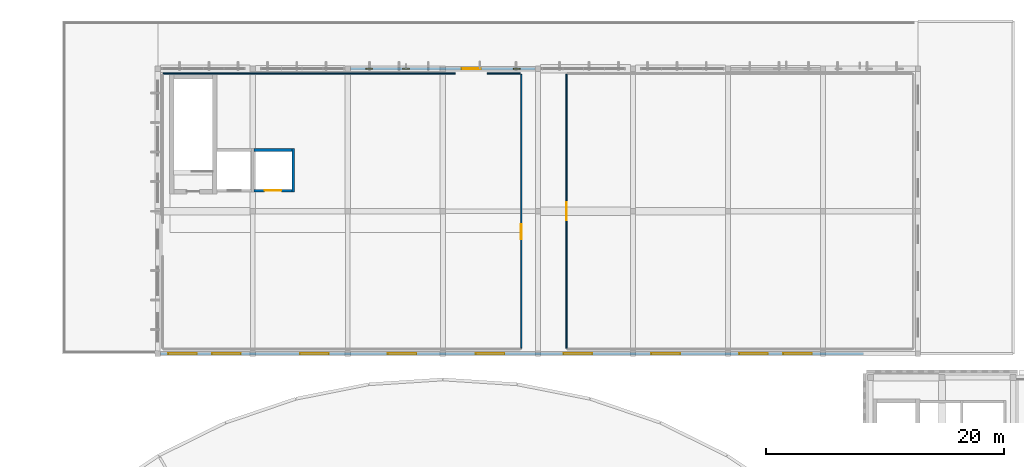
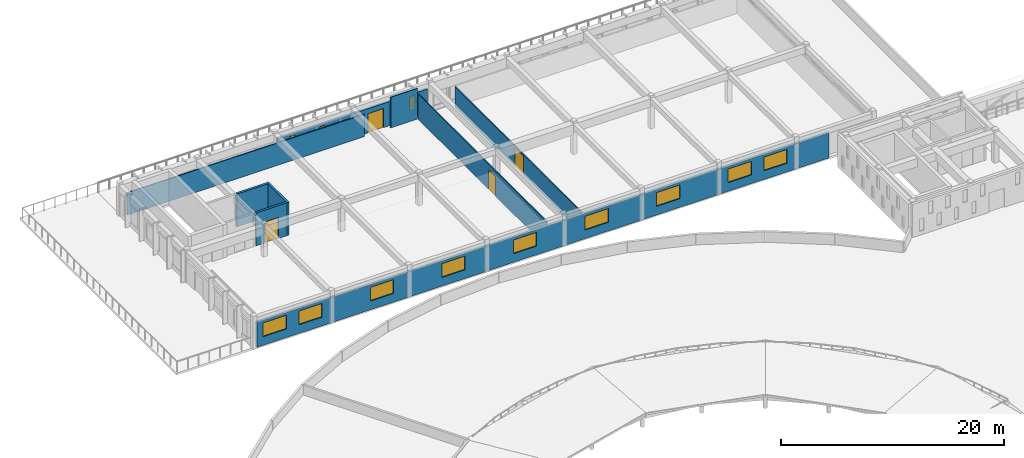
# One storey, part 56 of 77: 12 windows, 9 walls, 4 doors, 16 openings.
"""IFC4 building model written with IfcOpenShell, lengths in metres."""

from ifc_helpers import new_model, si_unit, direction, frame, frame_2d, origin, place, context, subcontext, project, spatial, rectangle, extrude, material, layer, layer_set, type_object, element, fill, save


model = new_model("IFC4")

# Units and contexts
model_context = context("Model", 3, precision=1e-05, world=origin(), true_north=direction((0.0, 1.0)))
body_context = subcontext(model_context, "Body", "Model", "MODEL_VIEW")
ifc_project = project(units=[si_unit("LENGTHUNIT", "METRE"), si_unit("AREAUNIT", "SQUARE_METRE"), si_unit("VOLUMEUNIT", "CUBIC_METRE"), si_unit("PLANEANGLEUNIT", "RADIAN"), si_unit("MASSUNIT", "GRAM", prefix="KILO")], contexts=[model_context])

# Site, building, storey
site_placement = place(None, origin())
site = spatial("IfcSite", under=ifc_project, at=site_placement, CompositionType="ELEMENT")
building_placement = place(site_placement, origin())
building = spatial("IfcBuilding", under=site, at=building_placement, Name="Larkveld Mobility Hub", CompositionType="ELEMENT")
storey_placement = place(building_placement, frame((0.0, 0.0, 12.0)))
storey = spatial("IfcBuildingStorey", under=building, at=storey_placement, Name="L03", CompositionType="ELEMENT", Elevation=12.0)

# Wall, openings, door, windows
ifc_material_1 = material(Name="Glazed architectural ceramic masonry 20 MPa", Category="masonry")
ifc_layer_1 = layer(ifc_material_1, 0.2099609375, Name="Glazed architectural ceramic masonry 20 MPa", Category="masonry")
ifc_layer_set_1 = layer_set([ifc_layer_1], Name="Glazed architectural ceramic masonry 20 MPa")
wall_type_1 = type_object("IfcWallType", Name="WL-COB-210", PredefinedType="USERDEFINED", material=ifc_layer_set_1)
wall_1_placement = place(storey_placement, frame((55.764892578125, 122.0, 0.0), z_axis=(0.0, 0.0, 1.0), x_axis=(-1.0, 0.0, 0.0)))
wall_1 = element("IfcWall", 1, at=wall_1_placement, inside=storey, type_object=wall_type_1, Name="Bicycle Hall Ceramic Cobogo Screen L03-0198", ObjectType="CERAMIC COBOGO SCREEN", PredefinedType="USERDEFINED", context=body_context, shape_type="SweptSolid", body=[
    extrude(rectangle(XDim=15.52978515625, YDim=0.2099609375, at=frame_2d((7.764892578125, 0.0))), origin(), (0.0, 0.0, 1.0), 2.64501953125),
])
opening_1_placement = place(wall_1_placement, frame((4.56494140625, 0.0, 0.0)))
opening_1 = element("IfcOpeningElement", 2, at=opening_1_placement, cuts=wall_1, Name="Opening ED07", PredefinedType="OPENING", context=body_context, shape_type="SweptSolid", body=[
    extrude(rectangle(XDim=1.60009765625, YDim=2.10009765625, at=frame_2d((0.800048828125, 1.050048828125))), frame((0.0, 0.114990234375, 0.0), z_axis=(0.0, -1.0, 0.0), x_axis=(1.0, 0.0, 0.0)), (0.0, 0.0, 1.0), 0.22998046875),
])
opening_2_placement = place(wall_1_placement, frame((1.27294921875, 0.0, 0.85009765625)))
opening_2 = element("IfcOpeningElement", 3, at=opening_2_placement, cuts=wall_1, Name="Opening W04", PredefinedType="OPENING", context=body_context, shape_type="SweptSolid", body=[
    extrude(rectangle(XDim=0.56005859375, YDim=1.550048828125, at=frame_2d((0.280029296875, 0.77490234375))), frame((0.0, 0.114990234375, 0.0), z_axis=(0.0, -1.0, 0.0), x_axis=(1.0, 0.0, 0.0)), (0.0, 0.0, 1.0), 0.22998046875),
])
opening_3_placement = place(wall_1_placement, frame((10.591064453125, 0.0, 0.85009765625)))
opening_3 = element("IfcOpeningElement", 4, at=opening_3_placement, cuts=wall_1, Name="Opening W04", PredefinedType="OPENING", context=body_context, shape_type="SweptSolid", body=[
    extrude(rectangle(XDim=0.56005859375, YDim=1.550048828125, at=frame_2d((0.280029296875, 0.77490234375))), frame((0.0, 0.114990234375, 0.0), z_axis=(0.0, -1.0, 0.0), x_axis=(1.0, 0.0, 0.0)), (0.0, 0.0, 1.0), 0.22998046875),
])
opening_4_placement = place(wall_1_placement, frame((13.697021484375, 0.0, 0.85009765625)))
opening_4 = element("IfcOpeningElement", 5, at=opening_4_placement, cuts=wall_1, Name="Opening W04", PredefinedType="OPENING", context=body_context, shape_type="SweptSolid", body=[
    extrude(rectangle(XDim=0.56005859375, YDim=1.550048828125, at=frame_2d((0.280029296875, 0.77490234375))), frame((0.0, 0.114990234375, 0.0), z_axis=(0.0, -1.0, 0.0), x_axis=(1.0, 0.0, 0.0)), (0.0, 0.0, 1.0), 0.22998046875),
])
ifc_material_2 = material(Name="Anodised aluminium glazed terrace door", Category="aluminium")
door_type_1 = type_object("IfcDoorType", Name="DR-EXT-TER16", OperationType="DOUBLE_DOOR_SINGLE_SWING", PredefinedType="DOOR", material=ifc_material_2)
door_1_placement = place(opening_1_placement, origin())
door_1 = element("IfcDoor", 6, at=door_1_placement, inside=storey, type_object=door_type_1, Name="North Viewing Terrace Door EDR-L03-017", OperationType="DOUBLE_DOOR_SINGLE_SWING", OverallHeight=2.10009765625, OverallWidth=1.60009765625, PredefinedType="DOOR", context=body_context, shape_type="SweptSolid", body=[
    extrude(rectangle(XDim=1.60009765625, YDim=2.10009765625, at=frame_2d((0.800048828125, 1.050048828125))), frame((0.0, 0.02490234375, 0.0), z_axis=(0.0, -1.0, 0.0), x_axis=(1.0, 0.0, 0.0)), (0.0, 0.0, 1.0), 0.050048828125),
])
fill(opening_1, door_1)
ifc_material_3 = material(Name="Extruded aluminium cobogo vent frame", Category="aluminium")
window_type_1 = type_object("IfcWindowType", Name="WN-VENT-04", PartitioningType="SINGLE_PANEL", PredefinedType="WINDOW", material=ifc_material_3)
window_1_placement = place(opening_2_placement, origin())
window_1 = element("IfcWindow", 7, at=window_1_placement, inside=storey, type_object=window_type_1, Name="Window W04 (0959)", OverallHeight=1.550048828125, OverallWidth=0.56005859375, PartitioningType="SINGLE_PANEL", PredefinedType="WINDOW", context=body_context, shape_type="SweptSolid", body=[
    extrude(rectangle(XDim=0.56005859375, YDim=1.550048828125, at=frame_2d((0.280029296875, 0.77490234375))), frame((0.0, 0.030029296875, 0.0), z_axis=(0.0, -1.0, 0.0), x_axis=(1.0, 0.0, 0.0)), (0.0, 0.0, 1.0), 0.06005859375),
])
fill(opening_2, window_1)
window_2_placement = place(opening_3_placement, origin())
window_2 = element("IfcWindow", 8, at=window_2_placement, inside=storey, type_object=window_type_1, Name="Window W04 (0960)", OverallHeight=1.550048828125, OverallWidth=0.56005859375, PartitioningType="SINGLE_PANEL", PredefinedType="WINDOW", context=body_context, shape_type="SweptSolid", body=[
    extrude(rectangle(XDim=0.56005859375, YDim=1.550048828125, at=frame_2d((0.280029296875, 0.77490234375))), frame((0.0, 0.030029296875, 0.0), z_axis=(0.0, -1.0, 0.0), x_axis=(1.0, 0.0, 0.0)), (0.0, 0.0, 1.0), 0.06005859375),
])
fill(opening_3, window_2)
window_3_placement = place(opening_4_placement, origin())
window_3 = element("IfcWindow", 9, at=window_3_placement, inside=storey, type_object=window_type_1, Name="Window W04 (0961)", OverallHeight=1.550048828125, OverallWidth=0.56005859375, PartitioningType="SINGLE_PANEL", PredefinedType="WINDOW", context=body_context, shape_type="SweptSolid", body=[
    extrude(rectangle(XDim=0.56005859375, YDim=1.550048828125, at=frame_2d((0.280029296875, 0.77490234375))), frame((0.0, 0.030029296875, 0.0), z_axis=(0.0, -1.0, 0.0), x_axis=(1.0, 0.0, 0.0)), (0.0, 0.0, 1.0), 0.06005859375),
])
fill(opening_4, window_3)

# Wall, openings, windows
ifc_material_4 = material(Name="Precast concrete C50/60", Category="concrete")
ifc_layer_2 = layer(ifc_material_4, 0.239990234375, Name="Precast concrete C50/60", Category="concrete")
ifc_layer_set_2 = layer_set([ifc_layer_2], Name="Precast concrete C50/60")
wall_type_2 = type_object("IfcWallType", Name="WL-EXT-240", PredefinedType="SOLIDWALL", material=ifc_layer_set_2)
wall_2_placement = place(storey_placement, frame((24.235107421875, 98.0, 0.0), z_axis=(0.0, 0.0, 1.0), x_axis=(1.0, 0.0, 0.0)))
wall_2 = element("IfcWall", 10, at=wall_2_placement, inside=storey, type_object=wall_type_2, Name="Bicycle Hall South Court Wall L03-0200", PredefinedType="SOLIDWALL", context=body_context, shape_type="SweptSolid", body=[
    extrude(rectangle(XDim=59.164794921875, YDim=0.239990234375, at=frame_2d((29.58251953125, 0.0))), origin(), (0.0, 0.0, 1.0), 2.7451171875),
])
opening_5_placement = place(wall_2_placement, frame((0.64892578125, 0.0, 0.949951171875)))
opening_5 = element("IfcOpeningElement", 11, at=opening_5_placement, cuts=wall_2, Name="Opening W09", PredefinedType="OPENING", context=body_context, shape_type="SweptSolid", body=[
    extrude(rectangle(XDim=2.39990234375, YDim=1.5, at=frame_2d((1.199951171875, 0.75))), frame((0.0, 0.1298828125, 0.0), z_axis=(0.0, -1.0, 0.0), x_axis=(1.0, 0.0, 0.0)), (0.0, 0.0, 1.0), 0.260009765625),
])
opening_6_placement = place(wall_2_placement, frame((4.346923828125, 0.0, 0.949951171875)))
opening_6 = element("IfcOpeningElement", 12, at=opening_6_placement, cuts=wall_2, Name="Opening W09", PredefinedType="OPENING", context=body_context, shape_type="SweptSolid", body=[
    extrude(rectangle(XDim=2.39990234375, YDim=1.5, at=frame_2d((1.199951171875, 0.75))), frame((0.0, 0.1298828125, 0.0), z_axis=(0.0, -1.0, 0.0), x_axis=(1.0, 0.0, 0.0)), (0.0, 0.0, 1.0), 0.260009765625),
])
opening_7_placement = place(wall_2_placement, frame((11.741943359375, 0.0, 0.949951171875)))
opening_7 = element("IfcOpeningElement", 13, at=opening_7_placement, cuts=wall_2, Name="Opening W09", PredefinedType="OPENING", context=body_context, shape_type="SweptSolid", body=[
    extrude(rectangle(XDim=2.39990234375, YDim=1.5, at=frame_2d((1.199951171875, 0.75))), frame((0.0, 0.1298828125, 0.0), z_axis=(0.0, -1.0, 0.0), x_axis=(1.0, 0.0, 0.0)), (0.0, 0.0, 1.0), 0.260009765625),
])
opening_8_placement = place(wall_2_placement, frame((19.137939453125, 0.0, 0.949951171875)))
opening_8 = element("IfcOpeningElement", 14, at=opening_8_placement, cuts=wall_2, Name="Opening W09", PredefinedType="OPENING", context=body_context, shape_type="SweptSolid", body=[
    extrude(rectangle(XDim=2.39990234375, YDim=1.5, at=frame_2d((1.199951171875, 0.75))), frame((0.0, 0.1298828125, 0.0), z_axis=(0.0, -1.0, 0.0), x_axis=(1.0, 0.0, 0.0)), (0.0, 0.0, 1.0), 0.260009765625),
])
opening_9_placement = place(wall_2_placement, frame((26.533935546875, 0.0, 0.949951171875)))
opening_9 = element("IfcOpeningElement", 15, at=opening_9_placement, cuts=wall_2, Name="Opening W09", PredefinedType="OPENING", context=body_context, shape_type="SweptSolid", body=[
    extrude(rectangle(XDim=2.39990234375, YDim=1.5, at=frame_2d((1.199951171875, 0.75))), frame((0.0, 0.1298828125, 0.0), z_axis=(0.0, -1.0, 0.0), x_axis=(1.0, 0.0, 0.0)), (0.0, 0.0, 1.0), 0.260009765625),
])
opening_10_placement = place(wall_2_placement, frame((33.928955078125, 0.0, 0.949951171875)))
opening_10 = element("IfcOpeningElement", 16, at=opening_10_placement, cuts=wall_2, Name="Opening W09", PredefinedType="OPENING", context=body_context, shape_type="SweptSolid", body=[
    extrude(rectangle(XDim=2.39990234375, YDim=1.5, at=frame_2d((1.199951171875, 0.75))), frame((0.0, 0.1298828125, 0.0), z_axis=(0.0, -1.0, 0.0), x_axis=(1.0, 0.0, 0.0)), (0.0, 0.0, 1.0), 0.260009765625),
])
opening_11_placement = place(wall_2_placement, frame((41.324951171875, 0.0, 0.949951171875)))
opening_11 = element("IfcOpeningElement", 17, at=opening_11_placement, cuts=wall_2, Name="Opening W09", PredefinedType="OPENING", context=body_context, shape_type="SweptSolid", body=[
    extrude(rectangle(XDim=2.39990234375, YDim=1.5, at=frame_2d((1.199951171875, 0.75))), frame((0.0, 0.1298828125, 0.0), z_axis=(0.0, -1.0, 0.0), x_axis=(1.0, 0.0, 0.0)), (0.0, 0.0, 1.0), 0.260009765625),
])
opening_12_placement = place(wall_2_placement, frame((48.719970703125, 0.0, 0.949951171875)))
opening_12 = element("IfcOpeningElement", 18, at=opening_12_placement, cuts=wall_2, Name="Opening W09", PredefinedType="OPENING", context=body_context, shape_type="SweptSolid", body=[
    extrude(rectangle(XDim=2.39990234375, YDim=1.5, at=frame_2d((1.199951171875, 0.75))), frame((0.0, 0.1298828125, 0.0), z_axis=(0.0, -1.0, 0.0), x_axis=(1.0, 0.0, 0.0)), (0.0, 0.0, 1.0), 0.260009765625),
])
opening_13_placement = place(wall_2_placement, frame((52.41796875, 0.0, 0.949951171875)))
opening_13 = element("IfcOpeningElement", 19, at=opening_13_placement, cuts=wall_2, Name="Opening W09", PredefinedType="OPENING", context=body_context, shape_type="SweptSolid", body=[
    extrude(rectangle(XDim=2.39990234375, YDim=1.5, at=frame_2d((1.199951171875, 0.75))), frame((0.0, 0.1298828125, 0.0), z_axis=(0.0, -1.0, 0.0), x_axis=(1.0, 0.0, 0.0)), (0.0, 0.0, 1.0), 0.260009765625),
])
ifc_material_5 = material(Name="Low-E double glazing in aluminium frame", Category="aluminium")
window_type_2 = type_object("IfcWindowType", Name="WN-ALU-09", PartitioningType="SINGLE_PANEL", PredefinedType="WINDOW", material=ifc_material_5)
window_4_placement = place(opening_5_placement, origin())
window_4 = element("IfcWindow", 20, at=window_4_placement, inside=storey, type_object=window_type_2, Name="Window W09 (0968)", OverallHeight=1.5, OverallWidth=2.39990234375, PartitioningType="SINGLE_PANEL", PredefinedType="WINDOW", context=body_context, shape_type="SweptSolid", body=[
    extrude(rectangle(XDim=2.39990234375, YDim=1.5, at=frame_2d((1.199951171875, 0.75))), frame((0.0, 0.030029296875, 0.0), z_axis=(0.0, -1.0, 0.0), x_axis=(1.0, 0.0, 0.0)), (0.0, 0.0, 1.0), 0.06005859375),
])
fill(opening_5, window_4)
window_5_placement = place(opening_6_placement, origin())
window_5 = element("IfcWindow", 21, at=window_5_placement, inside=storey, type_object=window_type_2, Name="Window W09 (0969)", OverallHeight=1.5, OverallWidth=2.39990234375, PartitioningType="SINGLE_PANEL", PredefinedType="WINDOW", context=body_context, shape_type="SweptSolid", body=[
    extrude(rectangle(XDim=2.39990234375, YDim=1.5, at=frame_2d((1.199951171875, 0.75))), frame((0.0, 0.030029296875, 0.0), z_axis=(0.0, -1.0, 0.0), x_axis=(1.0, 0.0, 0.0)), (0.0, 0.0, 1.0), 0.06005859375),
])
fill(opening_6, window_5)
window_6_placement = place(opening_7_placement, origin())
window_6 = element("IfcWindow", 22, at=window_6_placement, inside=storey, type_object=window_type_2, Name="Window W09 (0970)", OverallHeight=1.5, OverallWidth=2.39990234375, PartitioningType="SINGLE_PANEL", PredefinedType="WINDOW", context=body_context, shape_type="SweptSolid", body=[
    extrude(rectangle(XDim=2.39990234375, YDim=1.5, at=frame_2d((1.199951171875, 0.75))), frame((0.0, 0.030029296875, 0.0), z_axis=(0.0, -1.0, 0.0), x_axis=(1.0, 0.0, 0.0)), (0.0, 0.0, 1.0), 0.06005859375),
])
fill(opening_7, window_6)
window_7_placement = place(opening_8_placement, origin())
window_7 = element("IfcWindow", 23, at=window_7_placement, inside=storey, type_object=window_type_2, Name="Window W09 (0971)", OverallHeight=1.5, OverallWidth=2.39990234375, PartitioningType="SINGLE_PANEL", PredefinedType="WINDOW", context=body_context, shape_type="SweptSolid", body=[
    extrude(rectangle(XDim=2.39990234375, YDim=1.5, at=frame_2d((1.199951171875, 0.75))), frame((0.0, 0.030029296875, 0.0), z_axis=(0.0, -1.0, 0.0), x_axis=(1.0, 0.0, 0.0)), (0.0, 0.0, 1.0), 0.06005859375),
])
fill(opening_8, window_7)
window_8_placement = place(opening_9_placement, origin())
window_8 = element("IfcWindow", 24, at=window_8_placement, inside=storey, type_object=window_type_2, Name="Window W09 (0972)", OverallHeight=1.5, OverallWidth=2.39990234375, PartitioningType="SINGLE_PANEL", PredefinedType="WINDOW", context=body_context, shape_type="SweptSolid", body=[
    extrude(rectangle(XDim=2.39990234375, YDim=1.5, at=frame_2d((1.199951171875, 0.75))), frame((0.0, 0.030029296875, 0.0), z_axis=(0.0, -1.0, 0.0), x_axis=(1.0, 0.0, 0.0)), (0.0, 0.0, 1.0), 0.06005859375),
])
fill(opening_9, window_8)
window_9_placement = place(opening_10_placement, origin())
window_9 = element("IfcWindow", 25, at=window_9_placement, inside=storey, type_object=window_type_2, Name="Window W09 (0973)", OverallHeight=1.5, OverallWidth=2.39990234375, PartitioningType="SINGLE_PANEL", PredefinedType="WINDOW", context=body_context, shape_type="SweptSolid", body=[
    extrude(rectangle(XDim=2.39990234375, YDim=1.5, at=frame_2d((1.199951171875, 0.75))), frame((0.0, 0.030029296875, 0.0), z_axis=(0.0, -1.0, 0.0), x_axis=(1.0, 0.0, 0.0)), (0.0, 0.0, 1.0), 0.06005859375),
])
fill(opening_10, window_9)
window_10_placement = place(opening_11_placement, origin())
window_10 = element("IfcWindow", 26, at=window_10_placement, inside=storey, type_object=window_type_2, Name="Window W09 (0974)", OverallHeight=1.5, OverallWidth=2.39990234375, PartitioningType="SINGLE_PANEL", PredefinedType="WINDOW", context=body_context, shape_type="SweptSolid", body=[
    extrude(rectangle(XDim=2.39990234375, YDim=1.5, at=frame_2d((1.199951171875, 0.75))), frame((0.0, 0.030029296875, 0.0), z_axis=(0.0, -1.0, 0.0), x_axis=(1.0, 0.0, 0.0)), (0.0, 0.0, 1.0), 0.06005859375),
])
fill(opening_11, window_10)
window_11_placement = place(opening_12_placement, origin())
window_11 = element("IfcWindow", 27, at=window_11_placement, inside=storey, type_object=window_type_2, Name="Window W09 (0975)", OverallHeight=1.5, OverallWidth=2.39990234375, PartitioningType="SINGLE_PANEL", PredefinedType="WINDOW", context=body_context, shape_type="SweptSolid", body=[
    extrude(rectangle(XDim=2.39990234375, YDim=1.5, at=frame_2d((1.199951171875, 0.75))), frame((0.0, 0.030029296875, 0.0), z_axis=(0.0, -1.0, 0.0), x_axis=(1.0, 0.0, 0.0)), (0.0, 0.0, 1.0), 0.06005859375),
])
fill(opening_12, window_11)
window_12_placement = place(opening_13_placement, origin())
window_12 = element("IfcWindow", 28, at=window_12_placement, inside=storey, type_object=window_type_2, Name="Window W09 (0976)", OverallHeight=1.5, OverallWidth=2.39990234375, PartitioningType="SINGLE_PANEL", PredefinedType="WINDOW", context=body_context, shape_type="SweptSolid", body=[
    extrude(rectangle(XDim=2.39990234375, YDim=1.5, at=frame_2d((1.199951171875, 0.75))), frame((0.0, 0.030029296875, 0.0), z_axis=(0.0, -1.0, 0.0), x_axis=(1.0, 0.0, 0.0)), (0.0, 0.0, 1.0), 0.06005859375),
])
fill(opening_13, window_12)

# Walls
ifc_material_6 = material(Name="Concrete blockwork masonry 14 MPa", Category="masonry")
ifc_layer_3 = layer(ifc_material_6, 0.10009765625, Name="Concrete blockwork masonry 14 MPa", Category="masonry")
ifc_layer_set_3 = layer_set([ifc_layer_3], Name="Concrete blockwork masonry 14 MPa")
wall_type_3 = type_object("IfcWallType", Name="WL-PRT-100", PredefinedType="PARTITIONING", material=ifc_layer_set_3)
wall_3_placement = place(storey_placement, frame((24.47998046875, 121.60009765625, 0.0), z_axis=(0.0, 0.0, 1.0), x_axis=(1.0, 0.0, 0.0)))
element("IfcWall", 29, at=wall_3_placement, inside=storey, type_object=wall_type_3, Name="Mobility-as-a-Service Innovation Office Hall Partition 0183", PredefinedType="PARTITIONING", context=body_context, shape_type="SweptSolid", body=[
    extrude(rectangle(XDim=24.570068359375, YDim=0.10009765625, at=frame_2d((12.28515625, 0.0))), origin(), (0.0, 0.0, 1.0), 2.445068359375),
])
wall_4_placement = place(storey_placement, frame((51.75, 121.60009765625, 0.0), z_axis=(0.0, 0.0, 1.0), x_axis=(1.0, 0.0, 0.0)))
element("IfcWall", 30, at=wall_4_placement, inside=storey, type_object=wall_type_3, Name="Mobility-as-a-Service Innovation Office Hall Partition 0184", PredefinedType="PARTITIONING", context=body_context, shape_type="SweptSolid", body=[
    extrude(rectangle(XDim=2.77001953125, YDim=0.10009765625, at=frame_2d((1.385009765625, 0.0))), origin(), (0.0, 0.0, 1.0), 3.344970703125),
])

# Wall, opening, door
wall_5_placement = place(storey_placement, frame((54.60009765625, 98.485107421875, 0.0), z_axis=(0.0, 0.0, 1.0), x_axis=(0.0, 1.0, 0.0)))
wall_5 = element("IfcWall", 31, at=wall_5_placement, inside=storey, type_object=wall_type_3, Name="Mobility-as-a-Service Innovation Office Hall Partition 0187", PredefinedType="PARTITIONING", context=body_context, shape_type="SweptSolid", body=[
    extrude(rectangle(XDim=23.034912109375, YDim=0.10009765625, at=frame_2d((11.517578125, 0.0))), origin(), (0.0, 0.0, 1.0), 2.7451171875),
])
opening_14_placement = place(wall_5_placement, frame((9.174072265625, 0.0, 0.0)))
opening_14 = element("IfcOpeningElement", 32, at=opening_14_placement, cuts=wall_5, Name="Opening DI11", PredefinedType="OPENING", context=body_context, shape_type="SweptSolid", body=[
    extrude(rectangle(XDim=1.25, YDim=2.10009765625, at=frame_2d((0.625, 1.050048828125))), frame((0.0, 0.06005859375, 0.0), z_axis=(0.0, -1.0, 0.0), x_axis=(1.0, 0.0, 0.0)), (0.0, 0.0, 1.0), 0.1201171875),
])
ifc_material_7 = material(Name="Solid-core hardwood timber door in aluminium frame", Category="wood")
door_type_2 = type_object("IfcDoorType", Name="DR-INT-125", OperationType="NOTDEFINED", PredefinedType="DOOR", material=ifc_material_7)
door_2_placement = place(opening_14_placement, origin())
door_2 = element("IfcDoor", 33, at=door_2_placement, inside=storey, type_object=door_type_2, Name="Mobility-as-a-Service Innovation Office Hall Door 0047", OperationType="SINGLE_SWING_RIGHT", OverallHeight=2.10009765625, OverallWidth=1.25, PredefinedType="DOOR", context=body_context, shape_type="SweptSolid", body=[
    extrude(rectangle(XDim=1.25, YDim=2.10009765625, at=frame_2d((0.625, 1.050048828125))), frame((0.0, 0.02490234375, 0.0), z_axis=(0.0, -1.0, 0.0), x_axis=(1.0, 0.0, 0.0)), (0.0, 0.0, 1.0), 0.050048828125),
])
fill(opening_14, door_2)

ifc_layer_4 = layer(ifc_material_6, 0.110107421875, Name="Concrete blockwork masonry 14 MPa", Category="masonry")
ifc_layer_set_4 = layer_set([ifc_layer_4], Name="Concrete blockwork masonry 14 MPa")
wall_type_4 = type_object("IfcWallType", Name="WL-PRT-110", PredefinedType="PARTITIONING", material=ifc_layer_set_4)
wall_6_placement = place(storey_placement, frame((58.39990234375, 98.47998046875, 0.0), z_axis=(0.0, 0.0, 1.0), x_axis=(0.0, 1.0, 0.0)))
wall_6 = element("IfcWall", 34, at=wall_6_placement, inside=storey, type_object=wall_type_4, Name="Community Transport Forum Conference Hall Partition 0190", PredefinedType="PARTITIONING", context=body_context, shape_type="SweptSolid", body=[
    extrude(rectangle(XDim=23.034912109375, YDim=0.110107421875, at=frame_2d((11.517578125, 0.0))), origin(), (0.0, 0.0, 1.0), 2.2451171875),
])
opening_15_placement = place(wall_6_placement, frame((10.76708984375, 0.0, 0.0)))
opening_15 = element("IfcOpeningElement", 35, at=opening_15_placement, cuts=wall_6, Name="Opening DI12", PredefinedType="OPENING", context=body_context, shape_type="SweptSolid", body=[
    extrude(rectangle(XDim=1.5, YDim=2.10009765625, at=frame_2d((0.75, 1.050048828125))), frame((0.0, 0.06494140625, 0.0), z_axis=(0.0, -1.0, 0.0), x_axis=(1.0, 0.0, 0.0)), (0.0, 0.0, 1.0), 0.130126953125),
])
door_type_3 = type_object("IfcDoorType", Name="DR-INT-150", OperationType="NOTDEFINED", PredefinedType="DOOR", material=ifc_material_7)
door_3_placement = place(opening_15_placement, origin())
door_3 = element("IfcDoor", 36, at=door_3_placement, inside=storey, type_object=door_type_3, Name="Community Transport Forum Conference Hall Door 0048", OperationType="DOUBLE_DOOR_SINGLE_SWING", OverallHeight=2.10009765625, OverallWidth=1.5, PredefinedType="DOOR", context=body_context, shape_type="SweptSolid", body=[
    extrude(rectangle(XDim=1.5, YDim=2.10009765625, at=frame_2d((0.75, 1.050048828125))), frame((0.0, 0.02490234375, 0.0), z_axis=(0.0, -1.0, 0.0), x_axis=(1.0, 0.0, 0.0)), (0.0, 0.0, 1.0), 0.050048828125),
])
fill(opening_15, door_3)

# Wall
ifc_material_8 = material(Name="Concrete C40/50", Category="concrete")
ifc_layer_5 = layer(ifc_material_8, 0.219970703125, Name="Concrete C40/50", Category="concrete")
ifc_layer_set_5 = layer_set([ifc_layer_5], Name="Concrete C40/50")
wall_type_5 = type_object("IfcWallType", Name="WL-SHF-220", PredefinedType="SHEAR", material=ifc_layer_set_5)
wall_7_placement = place(storey_placement, frame((35.409912109375, 115.27001953125, 0.0), z_axis=(0.0, 0.0, 1.0), x_axis=(0.0, -1.0, 0.0)))
element("IfcWall", 37, at=wall_7_placement, inside=storey, type_object=wall_type_5, Name="Lift GL3 Shaft Wall L03-E", PredefinedType="SHEAR", context=body_context, shape_type="SweptSolid", body=[
    extrude(rectangle(XDim=3.64013671875, YDim=0.219970703125, at=frame_2d((1.820068359375, 0.0))), origin(), (0.0, 0.0, 1.0), 3.60009765625),
])

# Wall, opening, door
wall_8_placement = place(storey_placement, frame((35.300048828125, 111.739990234375, 0.0), z_axis=(0.0, 0.0, 1.0), x_axis=(-1.0, 0.0, 0.0)))
wall_8 = element("IfcWall", 38, at=wall_8_placement, inside=storey, type_object=wall_type_5, Name="Lift GL3 Shaft Wall L03-S", PredefinedType="SHEAR", context=body_context, shape_type="SweptSolid", body=[
    extrude(rectangle(XDim=3.199951171875, YDim=0.219970703125, at=frame_2d((1.60009765625, 0.0))), origin(), (0.0, 0.0, 1.0), 3.60009765625),
])
opening_16_placement = place(wall_8_placement, frame((0.89990234375, 0.0, 0.0)))
opening_16 = element("IfcOpeningElement", 39, at=opening_16_placement, cuts=wall_8, Name="Opening LD03", PredefinedType="OPENING", context=body_context, shape_type="SweptSolid", body=[
    extrude(rectangle(XDim=1.39990234375, YDim=2.300048828125, at=frame_2d((0.699951171875, 1.14990234375))), frame((0.0, 0.1201171875, 0.0), z_axis=(0.0, -1.0, 0.0), x_axis=(1.0, 0.0, 0.0)), (0.0, 0.0, 1.0), 0.239990234375),
])
ifc_material_9 = material(Name="Brushed stainless Steel S355JR sliding landing door", Category="steel")
door_type_4 = type_object("IfcDoorType", Name="DR-LD-140", OperationType="DOUBLE_DOOR_SLIDING", PredefinedType="DOOR", material=ifc_material_9)
door_4_placement = place(opening_16_placement, origin())
door_4 = element("IfcDoor", 40, at=door_4_placement, inside=storey, type_object=door_type_4, Name="Lift landing door GL3-L03", OperationType="DOUBLE_DOOR_SLIDING", OverallHeight=2.300048828125, OverallWidth=1.39990234375, PredefinedType="DOOR", context=body_context, shape_type="SweptSolid", body=[
    extrude(rectangle(XDim=1.39990234375, YDim=2.300048828125, at=frame_2d((0.699951171875, 1.14990234375))), frame((0.0, 0.02490234375, 0.0), z_axis=(0.0, -1.0, 0.0), x_axis=(1.0, 0.0, 0.0)), (0.0, 0.0, 1.0), 0.050048828125),
])
fill(opening_16, door_4)

# Wall
wall_9_placement = place(storey_placement, frame((32.10009765625, 115.159912109375, 0.0), z_axis=(0.0, 0.0, 1.0), x_axis=(1.0, 0.0, 0.0)))
element("IfcWall", 41, at=wall_9_placement, inside=storey, type_object=wall_type_5, Name="Lift GL3 Shaft Wall L03-N", PredefinedType="SHEAR", context=body_context, shape_type="SweptSolid", body=[
    extrude(rectangle(XDim=3.199951171875, YDim=0.219970703125, at=frame_2d((1.60009765625, 0.0))), origin(), (0.0, 0.0, 1.0), 3.60009765625),
])

save(model, "model.ifc")
